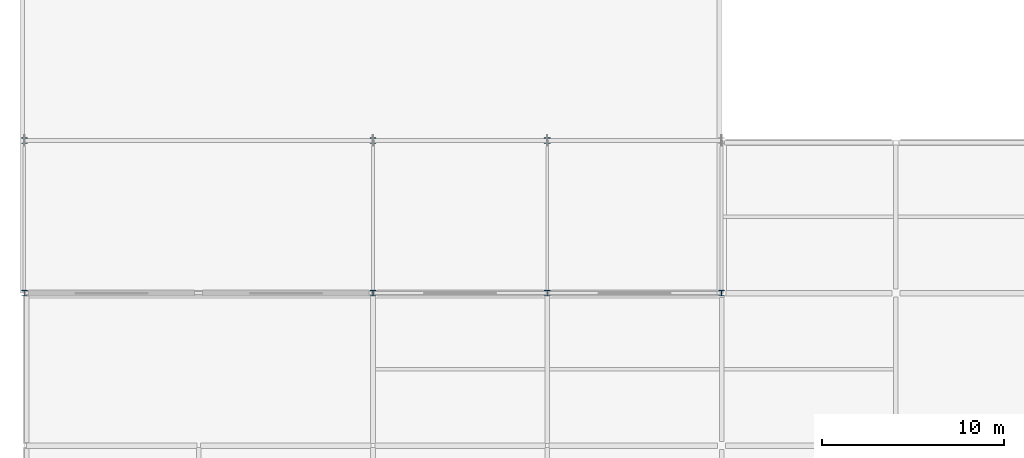
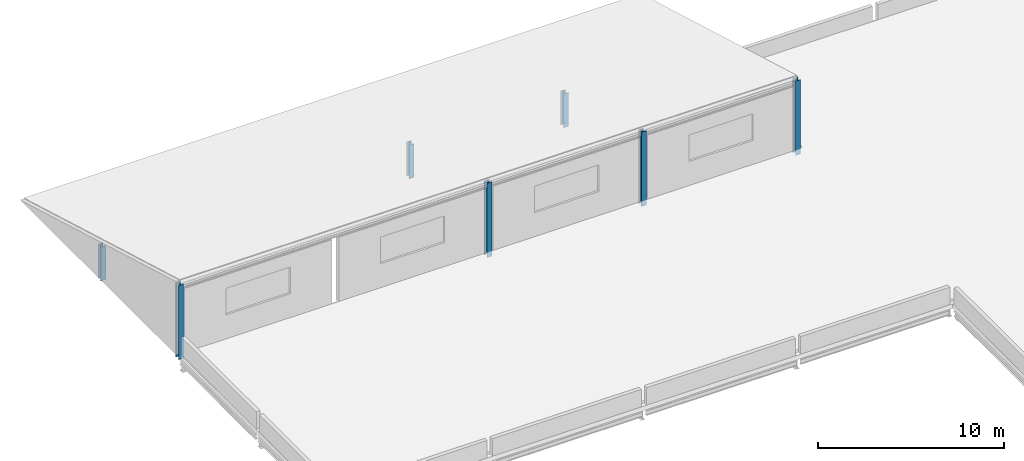
# One storey, part 6 of 52: 7 columns.
"""IFC4 building model written with IfcOpenShell, lengths in metres."""

import ifcopenshell
import ifcopenshell.guid

model = None  # the IFC model being written
_history = None  # IfcOwnerHistory: only IFC2X3 demands one
_inside = {}  # id of a spatial element -> (the spatial element, [elements in it])
_under = {}  # id of a project, library or spatial element -> (it, [spatial elements below it])
_declared = {}  # id of a project -> (the project, [libraries it declares])
_typed = {}  # id of a type object -> (the type object, [elements of that type])
_made_of = {}  # id of a material, layer set ... -> (it, [elements and type objects made of it])


def new_model(schema):
    """Start an empty IFC model of exactly this schema.

    Asked for "IFC4X3", IfcOpenShell would pick the latest addendum, in which some entities
    have other attributes; the version numbers below select the first issue.
    IFC2X3 requires an IfcOwnerHistory on every rooted entity: one is made here for all.
    """
    global model, _history
    if schema == "IFC4X3":
        model = ifcopenshell.file(schema_version=(4, 3, 0, 0))
    else:
        model = ifcopenshell.file(schema=schema)
    _inside.clear()
    _under.clear()
    _declared.clear()
    _typed.clear()
    _made_of.clear()
    _history = None
    if model.schema == "IFC2X3":
        org = make("IfcOrganization", Name="unknown")
        user = make(
            "IfcPersonAndOrganization",
            ThePerson=make("IfcPerson", FamilyName="unknown"),
            TheOrganization=org,
        )
        app = make(
            "IfcApplication",
            ApplicationDeveloper=org,
            Version="unknown",
            ApplicationFullName="unknown",
            ApplicationIdentifier="unknown",
        )
        _history = make(
            "IfcOwnerHistory",
            OwningUser=user,
            OwningApplication=app,
            ChangeAction="ADDED",
            CreationDate=0,
        )
    return model


def make(cls, **values):
    """One entity of the class cls with the attributes given. An attribute that is None is left unset."""
    return model.create_entity(
        cls, **{name: value for name, value in values.items() if value is not None}
    )


def rooted(cls, **values):
    """An entity with a GlobalId (a new one), such as an element, a storey or a relation."""
    return make(cls, GlobalId=ifcopenshell.guid.new(), OwnerHistory=_history, **values)


def si_unit(unit_type, name, prefix=None):
    """IfcSIUnit, for example si_unit("LENGTHUNIT", "METRE", prefix="MILLI")."""
    return make("IfcSIUnit", UnitType=unit_type, Prefix=prefix, Name=name)


def assignment(units):
    """IfcUnitAssignment: the units of a project."""
    return None if units is None else make("IfcUnitAssignment", Units=units)


def point(xyz):
    """IfcCartesianPoint."""
    return None if xyz is None else make("IfcCartesianPoint", Coordinates=xyz)


def direction(xyz):
    """IfcDirection."""
    return None if xyz is None else make("IfcDirection", DirectionRatios=xyz)


def frame(location, z_axis=None, x_axis=None):
    """IfcAxis2Placement3D, a coordinate frame: its origin and axes. An axis left out is left unset."""
    return make(
        "IfcAxis2Placement3D",
        Location=point(location),
        Axis=direction(z_axis),
        RefDirection=direction(x_axis),
    )


def frame_2d(location, x_axis=None):
    """IfcAxis2Placement2D, a coordinate frame in the plane: its origin and x axis."""
    return make(
        "IfcAxis2Placement2D", Location=point(location), RefDirection=direction(x_axis)
    )


def origin():
    """The frame at (0, 0, 0) with its axes left unset."""
    return frame((0.0, 0.0, 0.0))


def origin_2d():
    """The frame at (0, 0) in the plane with its x axis left unset."""
    return frame_2d((0.0, 0.0))


def place(relative_to, where):
    """IfcLocalPlacement: puts the frame where relative to a parent placement (None: the world)."""
    return make(
        "IfcLocalPlacement", PlacementRelTo=relative_to, RelativePlacement=where
    )


def context(
    kind, dimensions, precision=None, world=None, true_north=None, identifier=None
):
    """IfcGeometricRepresentationContext, for example the 3D "Model" context."""
    return make(
        "IfcGeometricRepresentationContext",
        ContextIdentifier=identifier,
        ContextType=kind,
        CoordinateSpaceDimension=dimensions,
        Precision=precision,
        WorldCoordinateSystem=world,
        TrueNorth=true_north,
    )


def subcontext(parent, identifier, kind, view, scale=None):
    """IfcGeometricRepresentationSubContext, for example "Body" below "Model"."""
    return make(
        "IfcGeometricRepresentationSubContext",
        ContextIdentifier=identifier,
        ContextType=kind,
        ParentContext=parent,
        TargetScale=scale,
        TargetView=view,
    )


def project(units=None, contexts=None):
    """IfcProject with its units and contexts."""
    return rooted(
        "IfcProject",
        Name="project",
        RepresentationContexts=contexts,
        UnitsInContext=assignment(units),
    )


def spatial(cls, under=None, at=None, **own):
    """A site, building, storey or space (cls), placed at a placement, below another one or the project."""
    s = rooted(cls, ObjectPlacement=at, **own)
    if under is not None:
        _under.setdefault(under.id(), (under, []))[1].append(s)
    return s


def profile(cls, at=None, kind="AREA", **sizes):
    """A parametric profile (cls). Its sizes go by their IFC names, for example OverallWidth=200.0."""
    return make(cls, ProfileType=kind, Position=at, **sizes)


def i_section(**sizes):
    """IfcIShapeProfileDef."""
    return profile("IfcIShapeProfileDef", **sizes)


def extrude(swept, where, along, depth):
    """IfcExtrudedAreaSolid: the profile swept, set in the frame where, extruded along a direction by depth."""
    return make(
        "IfcExtrudedAreaSolid",
        SweptArea=swept,
        Position=where,
        ExtrudedDirection=direction(along),
        Depth=depth,
    )


def shape(context_of_items, identifier, shape_type, items):
    """IfcShapeRepresentation: the items that make up one representation, for example the "Body"."""
    return make(
        "IfcShapeRepresentation",
        ContextOfItems=context_of_items,
        RepresentationIdentifier=identifier,
        RepresentationType=shape_type,
        Items=items,
    )


def material(Name=None, Category=None):
    """IfcMaterial."""
    return make("IfcMaterial", Name=Name, Category=Category)


def material_profile(
    of_material, cross_section, Name=None, Category=None, Priority=None
):
    """IfcMaterialProfile: a cross section and its material."""
    return make(
        "IfcMaterialProfile",
        Name=Name,
        Material=of_material,
        Profile=cross_section,
        Priority=Priority,
        Category=Category,
    )


def profile_set(profiles, Name=None, composite=None):
    """IfcMaterialProfileSet."""
    return make(
        "IfcMaterialProfileSet",
        Name=Name,
        MaterialProfiles=profiles,
        CompositeProfile=composite,
    )


def made_of(thing, what):
    """Note that an element or type object is made of a material, layer set ...; save() writes the relation."""
    if what is not None:
        _made_of.setdefault(what.id(), (what, []))[1].append(thing)
    return thing


def type_object(cls, material=None, **own):
    """A type object (cls), such as IfcWallType, which elements share."""
    return made_of(rooted(cls, **own), material)


def element(
    cls,
    number,
    at=None,
    inside=None,
    cuts=None,
    type_object=None,
    material=None,
    context=None,
    identifier="Body",
    shape_type=None,
    held_by="IfcProductDefinitionShape",
    body=None,
    shapes=None,
    **own,
):
    """One element of the class cls, such as IfcWall. Its Tag is "e" and its number.

    at: its placement. inside: the storey or other place that contains it. cuts: it is an
    opening in that element (IfcRelVoidsElement). A single representation is given by context,
    identifier, shape_type and body (its items); several are given by shapes. held_by: the class
    of the entity that holds the representations. save() writes the other relations.
    """
    e = rooted(cls, Tag="e%d" % number, ObjectPlacement=at, **own)
    if body is not None:
        shapes = [shape(context, identifier, shape_type, body)]
    if shapes is not None:
        e.Representation = make(held_by, Representations=shapes)
    if inside is not None:
        _inside.setdefault(inside.id(), (inside, []))[1].append(e)
    if cuts is not None:
        rooted(
            "IfcRelVoidsElement", RelatingBuildingElement=cuts, RelatedOpeningElement=e
        )
    if type_object is not None:
        _typed.setdefault(type_object.id(), (type_object, []))[1].append(e)
    return made_of(e, material)


def aggregate(whole, parts):
    """IfcRelAggregates: a whole, such as a stair, and the parts it consists of."""
    return rooted("IfcRelAggregates", RelatingObject=whole, RelatedObjects=parts)


def save(model, path):
    """Write the relations noted so far, then the file.

    IfcRelAggregates (storeys below a building ...), IfcRelContainedInSpatialStructure (elements
    in a storey), IfcRelDefinesByType, IfcRelAssociatesMaterial and IfcRelDeclares: one each for
    every whole, place, type object, material and project.
    """
    for whole, parts in _under.values():
        aggregate(whole, parts)
    for where, things in _inside.values():
        rooted(
            "IfcRelContainedInSpatialStructure",
            RelatedElements=things,
            RelatingStructure=where,
        )
    for kind, things in _typed.values():
        rooted("IfcRelDefinesByType", RelatedObjects=things, RelatingType=kind)
    for what, things in _made_of.values():
        rooted("IfcRelAssociatesMaterial", RelatedObjects=things, RelatingMaterial=what)
    for by, libraries in _declared.values():
        rooted("IfcRelDeclares", RelatingContext=by, RelatedDefinitions=libraries)
    model.write(path)


model = new_model("IFC4")

# Units and contexts
model_context = context("Model", 3, precision=1e-05, world=origin(), true_north=direction((0.0, 1.0)))
body_context = subcontext(model_context, "Body", "Model", "MODEL_VIEW")
ifc_project = project(units=[si_unit("LENGTHUNIT", "METRE"), si_unit("AREAUNIT", "SQUARE_METRE"), si_unit("VOLUMEUNIT", "CUBIC_METRE"), si_unit("PLANEANGLEUNIT", "RADIAN"), si_unit("MASSUNIT", "GRAM", prefix="KILO")], contexts=[model_context])

# Site, building, storey
site_placement = place(None, origin())
site = spatial("IfcSite", under=ifc_project, at=site_placement, CompositionType="ELEMENT")
building_placement = place(site_placement, origin())
building = spatial("IfcBuilding", under=site, at=building_placement, Name="Lornevale Opera House", CompositionType="ELEMENT")
storey_placement = place(building_placement, frame((0.0, 0.0, 15.0)))
storey = spatial("IfcBuildingStorey", under=building, at=storey_placement, Name="L04", CompositionType="ELEMENT", Elevation=15.0)

# Columns
ifc_material = material(Name="Structural Steel CSA G40.21 Grade 350W (350 MPa)", Category="steel")
ifc_material_profile = material_profile(ifc_material, i_section(OverallWidth=0.30908203125, OverallDepth=0.322998046875, WebThickness=0.013916015625, FlangeThickness=0.02294921875, at=origin_2d()), Name="W310x143")
ifc_profile_set = profile_set([ifc_material_profile], Name="Structural Steel CSA G40.21 Grade 350W (350 MPa)")
column_type = type_object("IfcColumnType", Name="Steel Clerestory Post W310x143", PredefinedType="COLUMN", material=ifc_profile_set)
column_1_placement = place(storey_placement, frame((0.0, 84.0, -0.27001953125), z_axis=(0.0, 0.0, 1.0), x_axis=(1.0, 0.0, 0.0)))
element("IfcColumn", 1, at=column_1_placement, inside=storey, type_object=column_type, Name="Studio Clerestory Post 1152", PredefinedType="COLUMN", context=body_context, shape_type="SweptSolid", body=[
    extrude(i_section(OverallWidth=0.30908203125, OverallDepth=0.322998046875, WebThickness=0.013916015625, FlangeThickness=0.02294921875, at=origin_2d()), origin(), (0.0, 0.0, 1.0), 4.88720703125),
])
column_2_placement = place(storey_placement, frame((0.0, 92.39990234375, -0.179931640625), z_axis=(0.0, 0.0, 1.0), x_axis=(1.0, 0.0, 0.0)))
element("IfcColumn", 2, at=column_2_placement, inside=storey, type_object=column_type, Name="Studio Clerestory Post 1153", PredefinedType="COLUMN", context=body_context, shape_type="SweptSolid", body=[
    extrude(i_section(OverallWidth=0.30908203125, OverallDepth=0.322998046875, WebThickness=0.013916015625, FlangeThickness=0.02294921875, at=origin_2d()), origin(), (0.0, 0.0, 1.0), 2.22998046875),
])
column_3_placement = place(storey_placement, frame((19.199951171875, 84.0, -0.27001953125), z_axis=(0.0, 0.0, 1.0), x_axis=(1.0, 0.0, 0.0)))
element("IfcColumn", 3, at=column_3_placement, inside=storey, type_object=column_type, Name="Studio Clerestory Post 1156", PredefinedType="COLUMN", context=body_context, shape_type="SweptSolid", body=[
    extrude(i_section(OverallWidth=0.30908203125, OverallDepth=0.322998046875, WebThickness=0.013916015625, FlangeThickness=0.02294921875, at=origin_2d()), origin(), (0.0, 0.0, 1.0), 4.88720703125),
])
column_4_placement = place(storey_placement, frame((19.199951171875, 92.39990234375, -0.179931640625), z_axis=(0.0, 0.0, 1.0), x_axis=(1.0, 0.0, 0.0)))
element("IfcColumn", 4, at=column_4_placement, inside=storey, type_object=column_type, Name="Studio Clerestory Post 1157", PredefinedType="COLUMN", context=body_context, shape_type="SweptSolid", body=[
    extrude(i_section(OverallWidth=0.30908203125, OverallDepth=0.322998046875, WebThickness=0.013916015625, FlangeThickness=0.02294921875, at=origin_2d()), origin(), (0.0, 0.0, 1.0), 2.22998046875),
])
column_5_placement = place(storey_placement, frame((28.800048828125, 84.0, -0.27001953125), z_axis=(0.0, 0.0, 1.0), x_axis=(1.0, 0.0, 0.0)))
element("IfcColumn", 5, at=column_5_placement, inside=storey, type_object=column_type, Name="Studio Clerestory Post 1160", PredefinedType="COLUMN", context=body_context, shape_type="SweptSolid", body=[
    extrude(i_section(OverallWidth=0.30908203125, OverallDepth=0.322998046875, WebThickness=0.013916015625, FlangeThickness=0.02294921875, at=origin_2d()), origin(), (0.0, 0.0, 1.0), 4.88720703125),
])
column_6_placement = place(storey_placement, frame((28.800048828125, 92.39990234375, -0.179931640625), z_axis=(0.0, 0.0, 1.0), x_axis=(1.0, 0.0, 0.0)))
element("IfcColumn", 6, at=column_6_placement, inside=storey, type_object=column_type, Name="Studio Clerestory Post 1161", PredefinedType="COLUMN", context=body_context, shape_type="SweptSolid", body=[
    extrude(i_section(OverallWidth=0.30908203125, OverallDepth=0.322998046875, WebThickness=0.013916015625, FlangeThickness=0.02294921875, at=origin_2d()), origin(), (0.0, 0.0, 1.0), 2.22998046875),
])
column_7_placement = place(storey_placement, frame((38.39990234375, 84.0, -0.27001953125), z_axis=(0.0, 0.0, 1.0), x_axis=(1.0, 0.0, 0.0)))
element("IfcColumn", 7, at=column_7_placement, inside=storey, type_object=column_type, Name="Studio Clerestory Post 1164", PredefinedType="COLUMN", context=body_context, shape_type="SweptSolid", body=[
    extrude(i_section(OverallWidth=0.30908203125, OverallDepth=0.322998046875, WebThickness=0.013916015625, FlangeThickness=0.02294921875, at=origin_2d()), origin(), (0.0, 0.0, 1.0), 4.88720703125),
])

save(model, "model.ifc")
